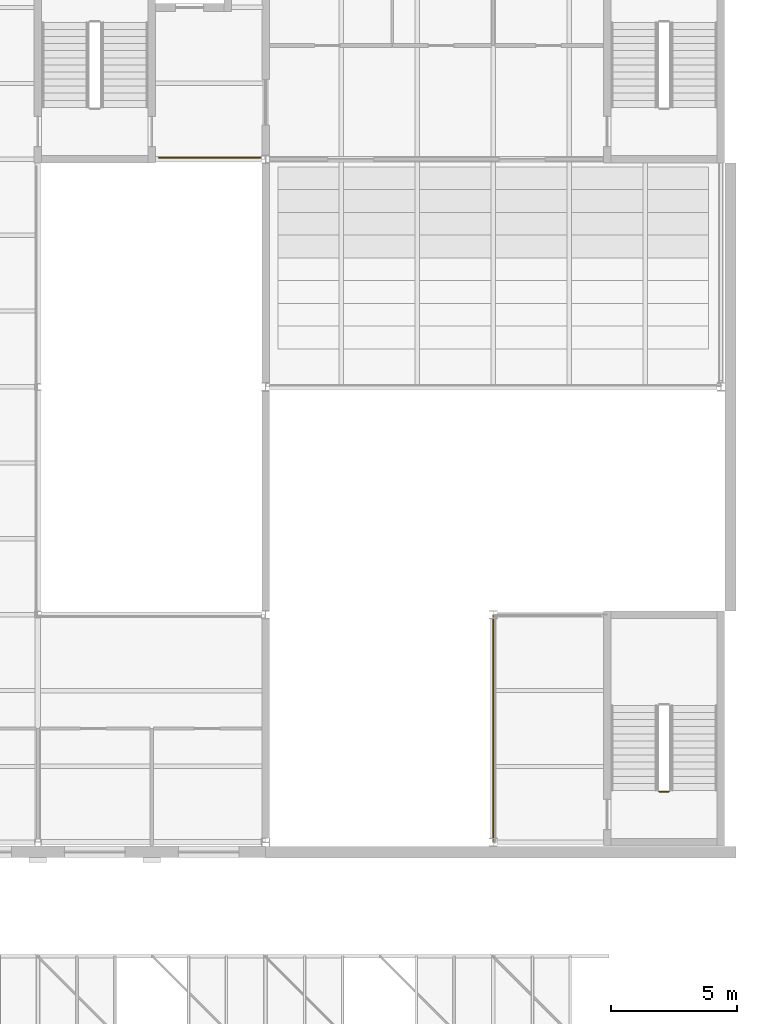
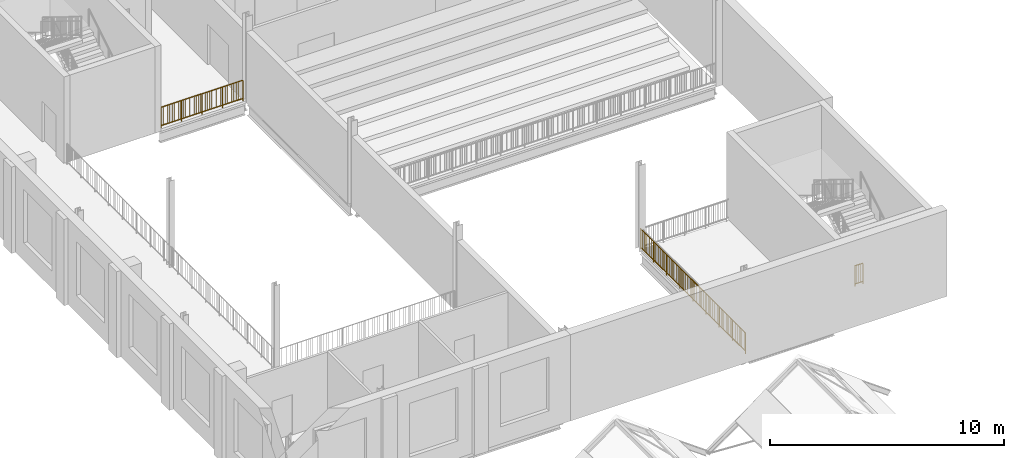
# One storey, part 68 of 74: 3 railings.
"""IFC4 building model written with IfcOpenShell, lengths in metres."""

from ifc_helpers import new_model, si_unit, direction, frame, origin, origin_2d, place, context, subcontext, project, spatial, circle, extrude, material, type_object, element, save


model = new_model("IFC4")

# Units and contexts
model_context = context("Model", 3, precision=1e-05, world=origin(), true_north=direction((0.0, 1.0)))
body_context = subcontext(model_context, "Body", "Model", "MODEL_VIEW")
ifc_project = project(units=[si_unit("LENGTHUNIT", "METRE"), si_unit("AREAUNIT", "SQUARE_METRE"), si_unit("VOLUMEUNIT", "CUBIC_METRE"), si_unit("PLANEANGLEUNIT", "RADIAN"), si_unit("MASSUNIT", "GRAM", prefix="KILO")], contexts=[model_context])

# Site, building, storey
site_placement = place(None, origin())
site = spatial("IfcSite", under=ifc_project, at=site_placement, CompositionType="ELEMENT")
building_placement = place(site_placement, origin())
building = spatial("IfcBuilding", under=site, at=building_placement, Name="Hortulan Conservatory and Botanical Research Centre", CompositionType="ELEMENT")
storey_placement = place(building_placement, frame((0.0, 0.0, 6.0)))
storey = spatial("IfcBuildingStorey", under=building, at=storey_placement, Name="L01", CompositionType="ELEMENT", Elevation=6.0)

# Railings
ifc_material_1 = material(Name="Wrought iron guard, bronze-charcoal paint", Category="metal")
railing_type_1 = type_object("IfcRailingType", Name="Fly Gallery Guard 1100", PredefinedType="GUARDRAIL", material=ifc_material_1)
railing_1_placement = place(storey_placement, frame((99.0, 36.0, 0.0)))
element("IfcRailing", 1, at=railing_1_placement, inside=storey, type_object=railing_type_1, Name="Fly gallery guard L01 stage side", PredefinedType="GUARDRAIL", context=body_context, shape_type="SweptSolid", body=[
    extrude(circle(Radius=0.02392578125, at=origin_2d()), frame((0.0, 0.0, 1.076171875), z_axis=(0.0, 1.0, 0.0), x_axis=(-1.0, 0.0, 0.0)), (0.0, 0.0, 1.0), 9.0),
    extrude(circle(Radius=0.02392578125, at=origin_2d()), frame((0.0, 0.0, 0.1240234375), z_axis=(0.0, 1.0, 0.0), x_axis=(-1.0, 0.0, 0.0)), (0.0, 0.0, 1.0), 9.0),
    extrude(circle(Radius=0.008056640625, at=origin_2d()), frame((0.0, 0.10986328125, 0.148193359375)), (0.0, 0.0, 1.0), 0.90380859375),
    extrude(circle(Radius=0.008056640625, at=origin_2d()), frame((0.0, 0.219482421875, 0.148193359375)), (0.0, 0.0, 1.0), 0.90380859375),
    extrude(circle(Radius=0.008056640625, at=origin_2d()), frame((0.0, 0.329345703125, 0.148193359375)), (0.0, 0.0, 1.0), 0.90380859375),
    extrude(circle(Radius=0.008056640625, at=origin_2d()), frame((0.0, 0.43896484375, 0.148193359375)), (0.0, 0.0, 1.0), 0.90380859375),
    extrude(circle(Radius=0.008056640625, at=origin_2d()), frame((0.0, 0.548828125, 0.148193359375)), (0.0, 0.0, 1.0), 0.90380859375),
    extrude(circle(Radius=0.008056640625, at=origin_2d()), frame((0.0, 0.658447265625, 0.148193359375)), (0.0, 0.0, 1.0), 0.90380859375),
    extrude(circle(Radius=0.008056640625, at=origin_2d()), frame((0.0, 0.768310546875, 0.148193359375)), (0.0, 0.0, 1.0), 0.90380859375),
    extrude(circle(Radius=0.008056640625, at=origin_2d()), frame((0.0, 0.8779296875, 0.148193359375)), (0.0, 0.0, 1.0), 0.90380859375),
    extrude(circle(Radius=0.008056640625, at=origin_2d()), frame((0.0, 0.98779296875, 0.148193359375)), (0.0, 0.0, 1.0), 0.90380859375),
    extrude(circle(Radius=0.008056640625, at=origin_2d()), frame((0.0, 1.09765625, 0.148193359375)), (0.0, 0.0, 1.0), 0.90380859375),
    extrude(circle(Radius=0.008056640625, at=origin_2d()), frame((0.0, 1.207275390625, 0.148193359375)), (0.0, 0.0, 1.0), 0.90380859375),
    extrude(circle(Radius=0.008056640625, at=origin_2d()), frame((0.0, 1.317138671875, 0.148193359375)), (0.0, 0.0, 1.0), 0.90380859375),
    extrude(circle(Radius=0.008056640625, at=origin_2d()), frame((0.0, 1.4267578125, 0.148193359375)), (0.0, 0.0, 1.0), 0.90380859375),
    extrude(circle(Radius=0.008056640625, at=origin_2d()), frame((0.0, 1.53662109375, 0.148193359375)), (0.0, 0.0, 1.0), 0.90380859375),
    extrude(circle(Radius=0.008056640625, at=origin_2d()), frame((0.0, 1.646240234375, 0.148193359375)), (0.0, 0.0, 1.0), 0.90380859375),
    extrude(circle(Radius=0.008056640625, at=origin_2d()), frame((0.0, 1.756103515625, 0.148193359375)), (0.0, 0.0, 1.0), 0.90380859375),
    extrude(circle(Radius=0.008056640625, at=origin_2d()), frame((0.0, 1.865966796875, 0.148193359375)), (0.0, 0.0, 1.0), 0.90380859375),
    extrude(circle(Radius=0.008056640625, at=origin_2d()), frame((0.0, 1.9755859375, 0.148193359375)), (0.0, 0.0, 1.0), 0.90380859375),
    extrude(circle(Radius=0.008056640625, at=origin_2d()), frame((0.0, 2.08544921875, 0.148193359375)), (0.0, 0.0, 1.0), 0.90380859375),
    extrude(circle(Radius=0.008056640625, at=origin_2d()), frame((0.0, 2.195068359375, 0.148193359375)), (0.0, 0.0, 1.0), 0.90380859375),
    extrude(circle(Radius=0.008056640625, at=origin_2d()), frame((0.0, 2.304931640625, 0.148193359375)), (0.0, 0.0, 1.0), 0.90380859375),
    extrude(circle(Radius=0.008056640625, at=origin_2d()), frame((0.0, 2.41455078125, 0.148193359375)), (0.0, 0.0, 1.0), 0.90380859375),
    extrude(circle(Radius=0.008056640625, at=origin_2d()), frame((0.0, 2.5244140625, 0.148193359375)), (0.0, 0.0, 1.0), 0.90380859375),
    extrude(circle(Radius=0.008056640625, at=origin_2d()), frame((0.0, 2.634033203125, 0.148193359375)), (0.0, 0.0, 1.0), 0.90380859375),
    extrude(circle(Radius=0.008056640625, at=origin_2d()), frame((0.0, 2.743896484375, 0.148193359375)), (0.0, 0.0, 1.0), 0.90380859375),
    extrude(circle(Radius=0.008056640625, at=origin_2d()), frame((0.0, 2.853759765625, 0.148193359375)), (0.0, 0.0, 1.0), 0.90380859375),
    extrude(circle(Radius=0.008056640625, at=origin_2d()), frame((0.0, 2.96337890625, 0.148193359375)), (0.0, 0.0, 1.0), 0.90380859375),
    extrude(circle(Radius=0.008056640625, at=origin_2d()), frame((0.0, 3.0732421875, 0.148193359375)), (0.0, 0.0, 1.0), 0.90380859375),
    extrude(circle(Radius=0.008056640625, at=origin_2d()), frame((0.0, 3.182861328125, 0.148193359375)), (0.0, 0.0, 1.0), 0.90380859375),
    extrude(circle(Radius=0.008056640625, at=origin_2d()), frame((0.0, 3.292724609375, 0.148193359375)), (0.0, 0.0, 1.0), 0.90380859375),
    extrude(circle(Radius=0.008056640625, at=origin_2d()), frame((0.0, 3.40234375, 0.148193359375)), (0.0, 0.0, 1.0), 0.90380859375),
    extrude(circle(Radius=0.008056640625, at=origin_2d()), frame((0.0, 3.51220703125, 0.148193359375)), (0.0, 0.0, 1.0), 0.90380859375),
    extrude(circle(Radius=0.008056640625, at=origin_2d()), frame((0.0, 3.6220703125, 0.148193359375)), (0.0, 0.0, 1.0), 0.90380859375),
    extrude(circle(Radius=0.008056640625, at=origin_2d()), frame((0.0, 3.731689453125, 0.148193359375)), (0.0, 0.0, 1.0), 0.90380859375),
    extrude(circle(Radius=0.008056640625, at=origin_2d()), frame((0.0, 3.841552734375, 0.148193359375)), (0.0, 0.0, 1.0), 0.90380859375),
    extrude(circle(Radius=0.008056640625, at=origin_2d()), frame((0.0, 3.951171875, 0.148193359375)), (0.0, 0.0, 1.0), 0.90380859375),
    extrude(circle(Radius=0.008056640625, at=origin_2d()), frame((0.0, 4.06103515625, 0.148193359375)), (0.0, 0.0, 1.0), 0.90380859375),
    extrude(circle(Radius=0.008056640625, at=origin_2d()), frame((0.0, 4.170654296875, 0.148193359375)), (0.0, 0.0, 1.0), 0.90380859375),
    extrude(circle(Radius=0.008056640625, at=origin_2d()), frame((0.0, 4.280517578125, 0.148193359375)), (0.0, 0.0, 1.0), 0.90380859375),
    extrude(circle(Radius=0.008056640625, at=origin_2d()), frame((0.0, 4.39013671875, 0.148193359375)), (0.0, 0.0, 1.0), 0.90380859375),
    extrude(circle(Radius=0.008056640625, at=origin_2d()), frame((0.0, 4.5, 0.148193359375)), (0.0, 0.0, 1.0), 0.90380859375),
    extrude(circle(Radius=0.008056640625, at=origin_2d()), frame((0.0, 4.60986328125, 0.148193359375)), (0.0, 0.0, 1.0), 0.90380859375),
    extrude(circle(Radius=0.008056640625, at=origin_2d()), frame((0.0, 4.719482421875, 0.148193359375)), (0.0, 0.0, 1.0), 0.90380859375),
    extrude(circle(Radius=0.008056640625, at=origin_2d()), frame((0.0, 4.829345703125, 0.148193359375)), (0.0, 0.0, 1.0), 0.90380859375),
    extrude(circle(Radius=0.008056640625, at=origin_2d()), frame((0.0, 4.93896484375, 0.148193359375)), (0.0, 0.0, 1.0), 0.90380859375),
    extrude(circle(Radius=0.008056640625, at=origin_2d()), frame((0.0, 5.048828125, 0.148193359375)), (0.0, 0.0, 1.0), 0.90380859375),
    extrude(circle(Radius=0.008056640625, at=origin_2d()), frame((0.0, 5.158447265625, 0.148193359375)), (0.0, 0.0, 1.0), 0.90380859375),
    extrude(circle(Radius=0.008056640625, at=origin_2d()), frame((0.0, 5.268310546875, 0.148193359375)), (0.0, 0.0, 1.0), 0.90380859375),
    extrude(circle(Radius=0.008056640625, at=origin_2d()), frame((0.0, 5.3779296875, 0.148193359375)), (0.0, 0.0, 1.0), 0.90380859375),
    extrude(circle(Radius=0.008056640625, at=origin_2d()), frame((0.0, 5.48779296875, 0.148193359375)), (0.0, 0.0, 1.0), 0.90380859375),
    extrude(circle(Radius=0.008056640625, at=origin_2d()), frame((0.0, 5.59765625, 0.148193359375)), (0.0, 0.0, 1.0), 0.90380859375),
    extrude(circle(Radius=0.008056640625, at=origin_2d()), frame((0.0, 5.707275390625, 0.148193359375)), (0.0, 0.0, 1.0), 0.90380859375),
    extrude(circle(Radius=0.008056640625, at=origin_2d()), frame((0.0, 5.817138671875, 0.148193359375)), (0.0, 0.0, 1.0), 0.90380859375),
    extrude(circle(Radius=0.008056640625, at=origin_2d()), frame((0.0, 5.9267578125, 0.148193359375)), (0.0, 0.0, 1.0), 0.90380859375),
    extrude(circle(Radius=0.008056640625, at=origin_2d()), frame((0.0, 6.03662109375, 0.148193359375)), (0.0, 0.0, 1.0), 0.90380859375),
    extrude(circle(Radius=0.008056640625, at=origin_2d()), frame((0.0, 6.146240234375, 0.148193359375)), (0.0, 0.0, 1.0), 0.90380859375),
    extrude(circle(Radius=0.008056640625, at=origin_2d()), frame((0.0, 6.256103515625, 0.148193359375)), (0.0, 0.0, 1.0), 0.90380859375),
    extrude(circle(Radius=0.008056640625, at=origin_2d()), frame((0.0, 6.365966796875, 0.148193359375)), (0.0, 0.0, 1.0), 0.90380859375),
    extrude(circle(Radius=0.008056640625, at=origin_2d()), frame((0.0, 6.4755859375, 0.148193359375)), (0.0, 0.0, 1.0), 0.90380859375),
    extrude(circle(Radius=0.008056640625, at=origin_2d()), frame((0.0, 6.58544921875, 0.148193359375)), (0.0, 0.0, 1.0), 0.90380859375),
    extrude(circle(Radius=0.008056640625, at=origin_2d()), frame((0.0, 6.695068359375, 0.148193359375)), (0.0, 0.0, 1.0), 0.90380859375),
    extrude(circle(Radius=0.008056640625, at=origin_2d()), frame((0.0, 6.804931640625, 0.148193359375)), (0.0, 0.0, 1.0), 0.90380859375),
    extrude(circle(Radius=0.008056640625, at=origin_2d()), frame((0.0, 6.91455078125, 0.148193359375)), (0.0, 0.0, 1.0), 0.90380859375),
    extrude(circle(Radius=0.008056640625, at=origin_2d()), frame((0.0, 7.0244140625, 0.148193359375)), (0.0, 0.0, 1.0), 0.90380859375),
    extrude(circle(Radius=0.008056640625, at=origin_2d()), frame((0.0, 7.134033203125, 0.148193359375)), (0.0, 0.0, 1.0), 0.90380859375),
    extrude(circle(Radius=0.008056640625, at=origin_2d()), frame((0.0, 7.243896484375, 0.148193359375)), (0.0, 0.0, 1.0), 0.90380859375),
    extrude(circle(Radius=0.008056640625, at=origin_2d()), frame((0.0, 7.353759765625, 0.148193359375)), (0.0, 0.0, 1.0), 0.90380859375),
    extrude(circle(Radius=0.008056640625, at=origin_2d()), frame((0.0, 7.46337890625, 0.148193359375)), (0.0, 0.0, 1.0), 0.90380859375),
    extrude(circle(Radius=0.008056640625, at=origin_2d()), frame((0.0, 7.5732421875, 0.148193359375)), (0.0, 0.0, 1.0), 0.90380859375),
    extrude(circle(Radius=0.008056640625, at=origin_2d()), frame((0.0, 7.682861328125, 0.148193359375)), (0.0, 0.0, 1.0), 0.90380859375),
    extrude(circle(Radius=0.008056640625, at=origin_2d()), frame((0.0, 7.792724609375, 0.148193359375)), (0.0, 0.0, 1.0), 0.90380859375),
    extrude(circle(Radius=0.008056640625, at=origin_2d()), frame((0.0, 7.90234375, 0.148193359375)), (0.0, 0.0, 1.0), 0.90380859375),
    extrude(circle(Radius=0.008056640625, at=origin_2d()), frame((0.0, 8.01220703125, 0.148193359375)), (0.0, 0.0, 1.0), 0.90380859375),
    extrude(circle(Radius=0.008056640625, at=origin_2d()), frame((0.0, 8.1220703125, 0.148193359375)), (0.0, 0.0, 1.0), 0.90380859375),
    extrude(circle(Radius=0.008056640625, at=origin_2d()), frame((0.0, 8.231689453125, 0.148193359375)), (0.0, 0.0, 1.0), 0.90380859375),
    extrude(circle(Radius=0.008056640625, at=origin_2d()), frame((0.0, 8.341552734375, 0.148193359375)), (0.0, 0.0, 1.0), 0.90380859375),
    extrude(circle(Radius=0.008056640625, at=origin_2d()), frame((0.0, 8.451171875, 0.148193359375)), (0.0, 0.0, 1.0), 0.90380859375),
    extrude(circle(Radius=0.008056640625, at=origin_2d()), frame((0.0, 8.56103515625, 0.148193359375)), (0.0, 0.0, 1.0), 0.90380859375),
    extrude(circle(Radius=0.008056640625, at=origin_2d()), frame((0.0, 8.670654296875, 0.148193359375)), (0.0, 0.0, 1.0), 0.90380859375),
    extrude(circle(Radius=0.008056640625, at=origin_2d()), frame((0.0, 8.780517578125, 0.148193359375)), (0.0, 0.0, 1.0), 0.90380859375),
    extrude(circle(Radius=0.008056640625, at=origin_2d()), frame((0.0, 8.89013671875, 0.148193359375)), (0.0, 0.0, 1.0), 0.90380859375),
    extrude(circle(Radius=0.02099609375, at=origin_2d()), origin(), (0.0, 0.0, 1.0), 1.052001953125),
    extrude(circle(Radius=0.02099609375, at=origin_2d()), frame((0.0, 1.125, 0.0)), (0.0, 0.0, 1.0), 1.052001953125),
    extrude(circle(Radius=0.02099609375, at=origin_2d()), frame((0.0, 2.25, 0.0)), (0.0, 0.0, 1.0), 1.052001953125),
    extrude(circle(Radius=0.02099609375, at=origin_2d()), frame((0.0, 3.375, 0.0)), (0.0, 0.0, 1.0), 1.052001953125),
    extrude(circle(Radius=0.02099609375, at=origin_2d()), frame((0.0, 4.5, 0.0)), (0.0, 0.0, 1.0), 1.052001953125),
    extrude(circle(Radius=0.02099609375, at=origin_2d()), frame((0.0, 5.625, 0.0)), (0.0, 0.0, 1.0), 1.052001953125),
    extrude(circle(Radius=0.02099609375, at=origin_2d()), frame((0.0, 6.75, 0.0)), (0.0, 0.0, 1.0), 1.052001953125),
    extrude(circle(Radius=0.02099609375, at=origin_2d()), frame((0.0, 7.875, 0.0)), (0.0, 0.0, 1.0), 1.052001953125),
    extrude(circle(Radius=0.02099609375, at=origin_2d()), frame((0.0, 9.0, 0.0)), (0.0, 0.0, 1.0), 1.052001953125),
])
railing_type_2 = type_object("IfcRailingType", Name="Ironwork Void Guard 1100", PredefinedType="GUARDRAIL", material=ifc_material_1)
railing_2_placement = place(storey_placement, frame((85.77001953125, 63.06005859375, 0.0)))
element("IfcRailing", 2, at=railing_2_placement, inside=storey, type_object=railing_type_2, Name="Guard L01 Aud Foyer 6", PredefinedType="GUARDRAIL", context=body_context, shape_type="SweptSolid", body=[
    extrude(circle(Radius=0.02392578125, at=origin_2d()), frame((0.0, 0.0, 1.076171875), z_axis=(1.0, 0.0, 0.0), x_axis=(0.0, 1.0, 0.0)), (0.0, 0.0, 1.0), 4.033203125),
    extrude(circle(Radius=0.02392578125, at=origin_2d()), frame((0.0, 0.0, 0.1240234375), z_axis=(1.0, 0.0, 0.0), x_axis=(0.0, 1.0, 0.0)), (0.0, 0.0, 1.0), 4.033203125),
    extrude(circle(Radius=0.008056640625, at=origin_2d()), frame((0.10888671875, 0.0, 0.148193359375)), (0.0, 0.0, 1.0), 0.90380859375),
    extrude(circle(Radius=0.008056640625, at=origin_2d()), frame((0.218017578125, 0.0, 0.148193359375)), (0.0, 0.0, 1.0), 0.90380859375),
    extrude(circle(Radius=0.008056640625, at=origin_2d()), frame((0.326904296875, 0.0, 0.148193359375)), (0.0, 0.0, 1.0), 0.90380859375),
    extrude(circle(Radius=0.008056640625, at=origin_2d()), frame((0.43603515625, 0.0, 0.148193359375)), (0.0, 0.0, 1.0), 0.90380859375),
    extrude(circle(Radius=0.008056640625, at=origin_2d()), frame((0.544921875, 0.0, 0.148193359375)), (0.0, 0.0, 1.0), 0.90380859375),
    extrude(circle(Radius=0.008056640625, at=origin_2d()), frame((0.654052734375, 0.0, 0.148193359375)), (0.0, 0.0, 1.0), 0.90380859375),
    extrude(circle(Radius=0.008056640625, at=origin_2d()), frame((0.762939453125, 0.0, 0.148193359375)), (0.0, 0.0, 1.0), 0.90380859375),
    extrude(circle(Radius=0.008056640625, at=origin_2d()), frame((0.8720703125, 0.0, 0.148193359375)), (0.0, 0.0, 1.0), 0.90380859375),
    extrude(circle(Radius=0.008056640625, at=origin_2d()), frame((0.98095703125, 0.0, 0.148193359375)), (0.0, 0.0, 1.0), 0.90380859375),
    extrude(circle(Radius=0.008056640625, at=origin_2d()), frame((1.090087890625, 0.0, 0.148193359375)), (0.0, 0.0, 1.0), 0.90380859375),
    extrude(circle(Radius=0.008056640625, at=origin_2d()), frame((1.198974609375, 0.0, 0.148193359375)), (0.0, 0.0, 1.0), 0.90380859375),
    extrude(circle(Radius=0.008056640625, at=origin_2d()), frame((1.30810546875, 0.0, 0.148193359375)), (0.0, 0.0, 1.0), 0.90380859375),
    extrude(circle(Radius=0.008056640625, at=origin_2d()), frame((1.4169921875, 0.0, 0.148193359375)), (0.0, 0.0, 1.0), 0.90380859375),
    extrude(circle(Radius=0.008056640625, at=origin_2d()), frame((1.526123046875, 0.0, 0.148193359375)), (0.0, 0.0, 1.0), 0.90380859375),
    extrude(circle(Radius=0.008056640625, at=origin_2d()), frame((1.635009765625, 0.0, 0.148193359375)), (0.0, 0.0, 1.0), 0.90380859375),
    extrude(circle(Radius=0.008056640625, at=origin_2d()), frame((1.744140625, 0.0, 0.148193359375)), (0.0, 0.0, 1.0), 0.90380859375),
    extrude(circle(Radius=0.008056640625, at=origin_2d()), frame((1.85302734375, 0.0, 0.148193359375)), (0.0, 0.0, 1.0), 0.90380859375),
    extrude(circle(Radius=0.008056640625, at=origin_2d()), frame((1.962158203125, 0.0, 0.148193359375)), (0.0, 0.0, 1.0), 0.90380859375),
    extrude(circle(Radius=0.008056640625, at=origin_2d()), frame((2.071044921875, 0.0, 0.148193359375)), (0.0, 0.0, 1.0), 0.90380859375),
    extrude(circle(Radius=0.008056640625, at=origin_2d()), frame((2.18017578125, 0.0, 0.148193359375)), (0.0, 0.0, 1.0), 0.90380859375),
    extrude(circle(Radius=0.008056640625, at=origin_2d()), frame((2.2890625, 0.0, 0.148193359375)), (0.0, 0.0, 1.0), 0.90380859375),
    extrude(circle(Radius=0.008056640625, at=origin_2d()), frame((2.398193359375, 0.0, 0.148193359375)), (0.0, 0.0, 1.0), 0.90380859375),
    extrude(circle(Radius=0.008056640625, at=origin_2d()), frame((2.507080078125, 0.0, 0.148193359375)), (0.0, 0.0, 1.0), 0.90380859375),
    extrude(circle(Radius=0.008056640625, at=origin_2d()), frame((2.6162109375, 0.0, 0.148193359375)), (0.0, 0.0, 1.0), 0.90380859375),
    extrude(circle(Radius=0.008056640625, at=origin_2d()), frame((2.72509765625, 0.0, 0.148193359375)), (0.0, 0.0, 1.0), 0.90380859375),
    extrude(circle(Radius=0.008056640625, at=origin_2d()), frame((2.834228515625, 0.0, 0.148193359375)), (0.0, 0.0, 1.0), 0.90380859375),
    extrude(circle(Radius=0.008056640625, at=origin_2d()), frame((2.943115234375, 0.0, 0.148193359375)), (0.0, 0.0, 1.0), 0.90380859375),
    extrude(circle(Radius=0.008056640625, at=origin_2d()), frame((3.05224609375, 0.0, 0.148193359375)), (0.0, 0.0, 1.0), 0.90380859375),
    extrude(circle(Radius=0.008056640625, at=origin_2d()), frame((3.1611328125, 0.0, 0.148193359375)), (0.0, 0.0, 1.0), 0.90380859375),
    extrude(circle(Radius=0.008056640625, at=origin_2d()), frame((3.270263671875, 0.0, 0.148193359375)), (0.0, 0.0, 1.0), 0.90380859375),
    extrude(circle(Radius=0.008056640625, at=origin_2d()), frame((3.379150390625, 0.0, 0.148193359375)), (0.0, 0.0, 1.0), 0.90380859375),
    extrude(circle(Radius=0.008056640625, at=origin_2d()), frame((3.48828125, 0.0, 0.148193359375)), (0.0, 0.0, 1.0), 0.90380859375),
    extrude(circle(Radius=0.008056640625, at=origin_2d()), frame((3.59716796875, 0.0, 0.148193359375)), (0.0, 0.0, 1.0), 0.90380859375),
    extrude(circle(Radius=0.008056640625, at=origin_2d()), frame((3.706298828125, 0.0, 0.148193359375)), (0.0, 0.0, 1.0), 0.90380859375),
    extrude(circle(Radius=0.008056640625, at=origin_2d()), frame((3.815185546875, 0.0, 0.148193359375)), (0.0, 0.0, 1.0), 0.90380859375),
    extrude(circle(Radius=0.008056640625, at=origin_2d()), frame((3.92431640625, 0.0, 0.148193359375)), (0.0, 0.0, 1.0), 0.90380859375),
    extrude(circle(Radius=0.02099609375, at=origin_2d()), origin(), (0.0, 0.0, 1.0), 1.052001953125),
    extrude(circle(Radius=0.02099609375, at=origin_2d()), frame((1.00830078125, 0.0, 0.0)), (0.0, 0.0, 1.0), 1.052001953125),
    extrude(circle(Radius=0.02099609375, at=origin_2d()), frame((2.0166015625, 0.0, 0.0)), (0.0, 0.0, 1.0), 1.052001953125),
    extrude(circle(Radius=0.02099609375, at=origin_2d()), frame((3.02490234375, 0.0, 0.0)), (0.0, 0.0, 1.0), 1.052001953125),
    extrude(circle(Radius=0.02099609375, at=origin_2d()), frame((4.033203125, 0.0, 0.0)), (0.0, 0.0, 1.0), 1.052001953125),
])
ifc_material_2 = material(Name="Steel balustrade, bronze-charcoal paint", Category="steel")
railing_type_3 = type_object("IfcRailingType", Name="Stair Guard 1100", PredefinedType="GUARDRAIL", material=ifc_material_2)
railing_3_placement = place(storey_placement, frame((105.949951171875, 38.0, 0.0)))
element("IfcRailing", 3, at=railing_3_placement, inside=storey, type_object=railing_type_3, Name="Guard A2 L01 stair 4", PredefinedType="GUARDRAIL", context=body_context, shape_type="SweptSolid", body=[
    extrude(circle(Radius=0.02392578125, at=origin_2d()), frame((0.0, 0.0, 1.076171875), z_axis=(-1.0, 0.0, 0.0), x_axis=(0.0, -1.0, 0.0)), (0.0, 0.0, 1.0), 0.39990234375),
    extrude(circle(Radius=0.02392578125, at=origin_2d()), frame((0.0, 0.0, 0.1240234375), z_axis=(-1.0, 0.0, 0.0), x_axis=(0.0, -1.0, 0.0)), (0.0, 0.0, 1.0), 0.39990234375),
    extrude(circle(Radius=0.008056640625, at=origin_2d()), frame((-0.10009765625, 0.0, 0.148193359375)), (0.0, 0.0, 1.0), 0.90380859375),
    extrude(circle(Radius=0.008056640625, at=origin_2d()), frame((-0.199951171875, 0.0, 0.148193359375)), (0.0, 0.0, 1.0), 0.90380859375),
    extrude(circle(Radius=0.008056640625, at=origin_2d()), frame((-0.2998046875, 0.0, 0.148193359375)), (0.0, 0.0, 1.0), 0.90380859375),
    extrude(circle(Radius=0.02099609375, at=origin_2d()), origin(), (0.0, 0.0, 1.0), 1.052001953125),
    extrude(circle(Radius=0.02099609375, at=origin_2d()), frame((-0.39990234375, 0.0, 0.0)), (0.0, 0.0, 1.0), 1.052001953125),
])

save(model, "model.ifc")
